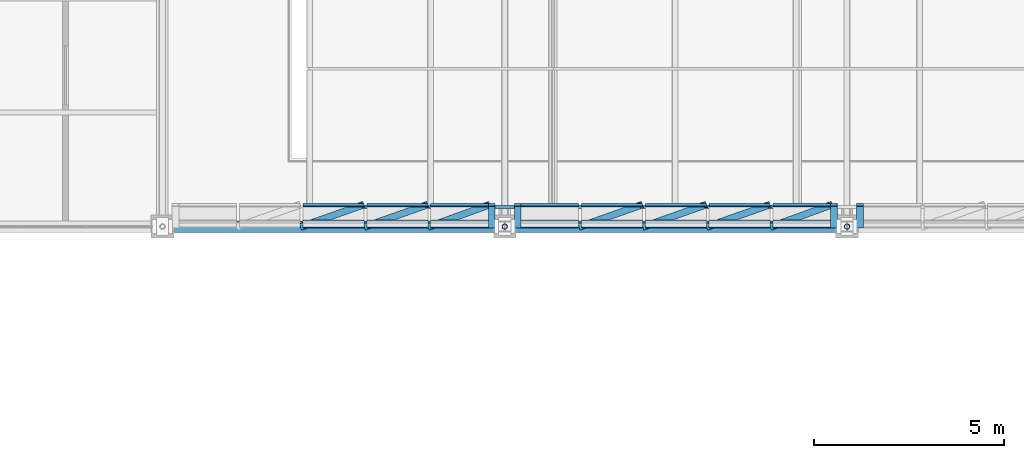
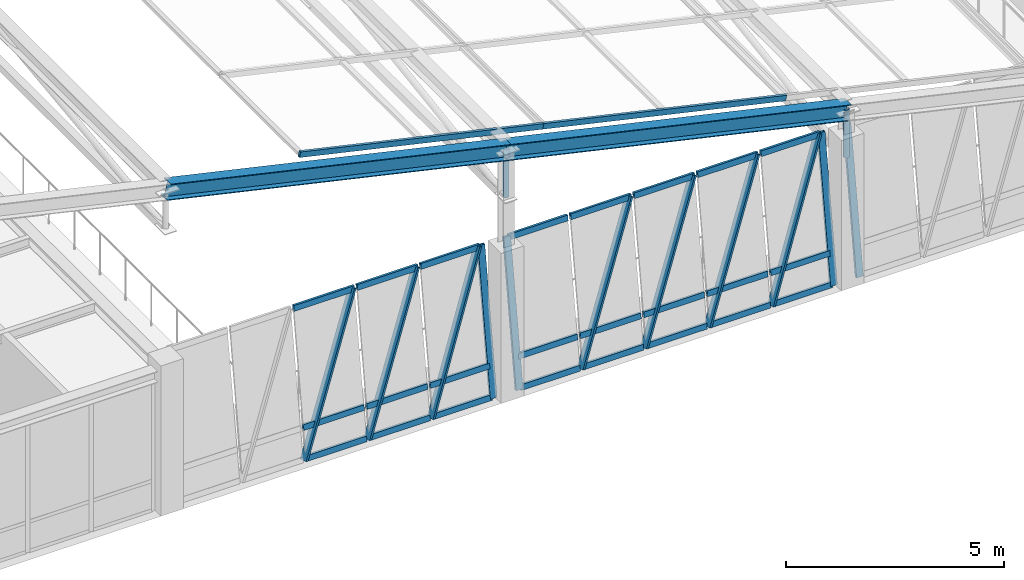
# One storey, part 40 of 130: 41 members, 5 elements without a shape of their own.
"""IFC4 building model written with IfcOpenShell, lengths in metres."""

from ifc_helpers import new_model, si_unit, direction, frame, origin, origin_2d, place, context, subcontext, project, spatial, hollow_rectangle, hollow_circle, i_section, extrude, material, material_profile, profile_set, type_object, element, aggregate, save


model = new_model("IFC4")

# Units and contexts
model_context = context("Model", 3, precision=1e-05, world=origin(), true_north=direction((0.0, 1.0)))
body_context = subcontext(model_context, "Body", "Model", "MODEL_VIEW")
ifc_project = project(units=[si_unit("LENGTHUNIT", "METRE"), si_unit("AREAUNIT", "SQUARE_METRE"), si_unit("VOLUMEUNIT", "CUBIC_METRE"), si_unit("PLANEANGLEUNIT", "RADIAN"), si_unit("MASSUNIT", "GRAM", prefix="KILO")], contexts=[model_context])

# Site, building, storey
site_placement = place(None, origin())
site = spatial("IfcSite", under=ifc_project, at=site_placement, CompositionType="ELEMENT")
building_placement = place(site_placement, origin())
building = spatial("IfcBuilding", under=site, at=building_placement, Name="Lykobir Media Centre", CompositionType="ELEMENT")
storey_placement = place(building_placement, frame((0.0, 0.0, 19.199951171875)))
storey = spatial("IfcBuildingStorey", under=building, at=storey_placement, Name="L04", CompositionType="ELEMENT", Elevation=19.199951171875)

# Members
ifc_material_1 = material(Name="Steel S355", Category="steel")
ifc_material_profile_1 = material_profile(ifc_material_1, hollow_circle(Radius=0.06982421875, WallThickness=0.008056640625, at=origin_2d()), Name="CHS 139.7x8.0")
ifc_profile_set_1 = profile_set([ifc_material_profile_1], Name="Steel S355")
member_type_1 = type_object("IfcMemberType", Name="BR-CHS140", PredefinedType="BRACE", material=ifc_profile_set_1)
for number, where, z_axis, x_axis, name in (
    (1, (54.0, 63.0, 6.860107421875), (0.0, 0.0, -1.0), (1.0, 0.0, 0.0), "Diagonal brace MEM2-L04-0540-0630-0261-0540-0630-0459"),
    (2, (63.0, 63.0, 4.820068359375), (0.0, 0.0, -1.0), (1.0, 0.0, 0.0), "Diagonal brace MEM2-L04-0630-0630-0240-0630-0630-0472"),
):
    element("IfcMember", number, at=place(storey_placement, frame(where, z_axis=z_axis, x_axis=x_axis)), inside=storey, type_object=member_type_1, Name=name, PredefinedType="BRACE", context=body_context, shape_type="SweptSolid", body=[
        extrude(hollow_circle(Radius=0.06982421875, WallThickness=0.008056640625, at=origin_2d()), origin(), (0.0, 0.0, 1.0), 1.35009765625),
    ])

# Curtain wall, members
ifc_material_2 = material(Name="Anodized Aluminium AW-6060", Category="aluminium")
curtain_wall_type_1 = type_object("IfcCurtainWallType", Name="CW-V6-CR4", PredefinedType="NOTDEFINED", material=ifc_material_2)
curtain_wall_1_placement = place(storey_placement, origin())
curtain_wall_1 = element("IfcCurtainWall", 3, at=curtain_wall_1_placement, inside=storey, type_object=curtain_wall_type_1, Name="Curtain wall CW2-L04-0160", PredefinedType="NOTDEFINED")
ifc_material_profile_2 = material_profile(ifc_material_2, hollow_rectangle(XDim=0.074951171875, YDim=0.179931640625, WallThickness=0.00390625, at=origin_2d()), Name="ALU MULLION 75x180")
ifc_profile_set_2 = profile_set([ifc_material_profile_2], Name="Anodized Aluminium AW-6060")
member_type_2 = type_object("IfcMemberType", Name="CWM-180", PredefinedType="MULLION", material=ifc_profile_set_2)
member_1_placement = place(storey_placement, frame((53.657470703125, 63.0, 0.0), z_axis=(0.0, 0.142657694389, 0.989772086003), x_axis=(0.0, 0.989772086003, -0.142657694389)))
member_1 = element("IfcMember", 4, at=member_1_placement, type_object=member_type_2, Name="CW2-L04-0160 mullion 1", PredefinedType="MULLION", context=body_context, shape_type="SweptSolid", body=[
    extrude(hollow_rectangle(XDim=0.074951171875, YDim=0.179931640625, WallThickness=0.00390625, at=origin_2d()), origin(), (0.0, 0.0, 1.0), 3.980712890625),
])
member_2_placement = place(storey_placement, frame((52.01708984375, 63.0, 0.0), z_axis=(0.365976570158, 0.132760683435, 0.921105721961), x_axis=(0.86589329552, 0.314109139953, -0.389312533796)))
member_2 = element("IfcMember", 5, at=member_2_placement, type_object=member_type_2, Name="CW2-L04-0160 mullion 2", PredefinedType="MULLION", context=body_context, shape_type="SweptSolid", body=[
    extrude(hollow_rectangle(XDim=0.074951171875, YDim=0.179931640625, WallThickness=0.00390625, at=origin_2d()), origin(), (0.0, 0.0, 1.0), 4.27734375),
])
member_3_placement = place(storey_placement, frame((50.339111328125, 63.0, 0.0), z_axis=(0.374579600655, 0.132271466696, 0.917711491631), x_axis=(0.865344548286, 0.305570277716, -0.397247552703)))
member_3 = element("IfcMember", 6, at=member_3_placement, type_object=member_type_2, Name="CW2-L04-0160 mullion 3", PredefinedType="MULLION", context=body_context, shape_type="SweptSolid", body=[
    extrude(hollow_rectangle(XDim=0.074951171875, YDim=0.179931640625, WallThickness=0.00390625, at=origin_2d()), origin(), (0.0, 0.0, 1.0), 4.293212890625),
])
member_4_placement = place(storey_placement, frame((48.660888671875, 63.0, 0.0), z_axis=(0.374628486657, 0.132268649053, 0.917691942573), x_axis=(0.865340676514, 0.305522527865, -0.397292711407)))
member_4 = element("IfcMember", 7, at=member_4_placement, type_object=member_type_2, Name="CW2-L04-0160 mullion 4", PredefinedType="MULLION", context=body_context, shape_type="SweptSolid", body=[
    extrude(hollow_rectangle(XDim=0.074951171875, YDim=0.179931640625, WallThickness=0.00390625, at=origin_2d()), origin(), (0.0, 0.0, 1.0), 4.293212890625),
])

curtain_wall_2_placement = place(storey_placement, origin())
curtain_wall_2 = element("IfcCurtainWall", 8, at=curtain_wall_2_placement, inside=storey, type_object=curtain_wall_type_1, Name="Curtain wall CW2-L04-0161", PredefinedType="NOTDEFINED")
member_5_placement = place(storey_placement, frame((62.657470703125, 63.0, 0.0), z_axis=(0.0, 0.142657694389, 0.989772086003), x_axis=(0.0, 0.989772086003, -0.142657694389)))
member_5 = element("IfcMember", 9, at=member_5_placement, type_object=member_type_2, Name="CW2-L04-0161 mullion 1", PredefinedType="MULLION", context=body_context, shape_type="SweptSolid", body=[
    extrude(hollow_rectangle(XDim=0.074951171875, YDim=0.179931640625, WallThickness=0.00390625, at=origin_2d()), origin(), (0.0, 0.0, 1.0), 3.980712890625),
])
member_6_placement = place(storey_placement, frame((61.01708984375, 63.0, 0.0), z_axis=(0.365976570158, 0.132760683435, 0.921105721961), x_axis=(0.86589329552, 0.314109139953, -0.389312533796)))
member_6 = element("IfcMember", 10, at=member_6_placement, type_object=member_type_2, Name="CW2-L04-0161 mullion 2", PredefinedType="MULLION", context=body_context, shape_type="SweptSolid", body=[
    extrude(hollow_rectangle(XDim=0.074951171875, YDim=0.179931640625, WallThickness=0.00390625, at=origin_2d()), origin(), (0.0, 0.0, 1.0), 4.27734375),
])
member_7_placement = place(storey_placement, frame((59.339111328125, 63.0, 0.0), z_axis=(0.374579600655, 0.132271466696, 0.917711491631), x_axis=(0.865344548286, 0.305570277716, -0.397247552703)))
member_7 = element("IfcMember", 11, at=member_7_placement, type_object=member_type_2, Name="CW2-L04-0161 mullion 3", PredefinedType="MULLION", context=body_context, shape_type="SweptSolid", body=[
    extrude(hollow_rectangle(XDim=0.074951171875, YDim=0.179931640625, WallThickness=0.00390625, at=origin_2d()), origin(), (0.0, 0.0, 1.0), 4.293212890625),
])
member_8_placement = place(storey_placement, frame((57.660888671875, 63.0, 0.0), z_axis=(0.374628486657, 0.132268649053, 0.917691942573), x_axis=(0.865340676514, 0.305522527865, -0.397292711407)))
member_8 = element("IfcMember", 12, at=member_8_placement, type_object=member_type_2, Name="CW2-L04-0161 mullion 4", PredefinedType="MULLION", context=body_context, shape_type="SweptSolid", body=[
    extrude(hollow_rectangle(XDim=0.074951171875, YDim=0.179931640625, WallThickness=0.00390625, at=origin_2d()), origin(), (0.0, 0.0, 1.0), 4.293212890625),
])
member_9_placement = place(storey_placement, frame((55.98291015625, 63.0, 0.0), z_axis=(0.374628486657, 0.132268649053, 0.917691942573), x_axis=(0.865340676514, 0.305522527865, -0.397292711407)))
member_9 = element("IfcMember", 13, at=member_9_placement, type_object=member_type_2, Name="CW2-L04-0161 mullion 5", PredefinedType="MULLION", context=body_context, shape_type="SweptSolid", body=[
    extrude(hollow_rectangle(XDim=0.074951171875, YDim=0.179931640625, WallThickness=0.00390625, at=origin_2d()), origin(), (0.0, 0.0, 1.0), 4.293212890625),
])
member_10_placement = place(storey_placement, frame((54.342529296875, 63.0, 0.0), z_axis=(0.0, 0.142657694389, 0.989772086003), x_axis=(0.0, 0.989772086003, -0.142657694389)))
member_10 = element("IfcMember", 14, at=member_10_placement, type_object=member_type_2, Name="CW2-L04-0161 mullion 6", PredefinedType="MULLION", context=body_context, shape_type="SweptSolid", body=[
    extrude(hollow_rectangle(XDim=0.074951171875, YDim=0.179931640625, WallThickness=0.00390625, at=origin_2d()), origin(), (0.0, 0.0, 1.0), 3.980712890625),
])

# Curtain wall, member
curtain_wall_3_placement = place(storey_placement, origin())
curtain_wall_3 = element("IfcCurtainWall", 15, at=curtain_wall_3_placement, inside=storey, type_object=curtain_wall_type_1, Name="Curtain wall CW2-L04-0162", PredefinedType="NOTDEFINED")
member_11_placement = place(storey_placement, frame((63.342529296875, 63.0, 0.0), z_axis=(0.0, 0.142657694389, 0.989772086003), x_axis=(0.0, 0.989772086003, -0.142657694389)))
member_11 = element("IfcMember", 16, at=member_11_placement, type_object=member_type_2, Name="CW2-L04-0162 mullion 6", PredefinedType="MULLION", context=body_context, shape_type="SweptSolid", body=[
    extrude(hollow_rectangle(XDim=0.074951171875, YDim=0.179931640625, WallThickness=0.00390625, at=origin_2d()), origin(), (0.0, 0.0, 1.0), 3.980712890625),
])
aggregate(curtain_wall_3, [member_11])

# Member
ifc_material_profile_3 = material_profile(ifc_material_2, hollow_rectangle(XDim=0.074951171875, YDim=0.14990234375, WallThickness=0.00341796875, at=origin_2d()), Name="ALU TRANSOM 75x150")
ifc_profile_set_3 = profile_set([ifc_material_profile_3], Name="Anodized Aluminium AW-6060")
member_type_3 = type_object("IfcMemberType", Name="CWT-150", PredefinedType="USERDEFINED", material=ifc_profile_set_3)
member_12_placement = place(storey_placement, frame((53.6201171875, 63.00537109375, 0.037109375), z_axis=(-1.0, 0.0, 0.0), x_axis=(0.0, -0.989776230908, 0.142628933706)))
member_12 = element("IfcMember", 17, at=member_12_placement, type_object=member_type_3, Name="CW2-L04-0160 transom 1.1", ObjectType="TRANSOM", PredefinedType="USERDEFINED", context=body_context, shape_type="SweptSolid", body=[
    extrude(hollow_rectangle(XDim=0.074951171875, YDim=0.14990234375, WallThickness=0.00341796875, at=origin_2d()), origin(), (0.0, 0.0, 1.0), 1.565673828125),
])

member_13_placement = place(storey_placement, frame((53.6201171875, 63.12109375, 0.84130859375), z_axis=(-1.0, 0.0, 0.0), x_axis=(0.0, -0.989776230908, 0.142628933706)))
member_13 = element("IfcMember", 18, at=member_13_placement, type_object=member_type_3, Name="CW2-L04-0160 transom 1.2", ObjectType="TRANSOM", PredefinedType="USERDEFINED", context=body_context, shape_type="SweptSolid", body=[
    extrude(hollow_rectangle(XDim=0.074951171875, YDim=0.14990234375, WallThickness=0.00341796875, at=origin_2d()), origin(), (0.0, 0.0, 1.0), 1.565673828125),
])

member_14_placement = place(storey_placement, frame((53.6201171875, 63.5625, 3.90283203125), z_axis=(-1.0, 0.0, 0.0), x_axis=(0.0, -0.989776230908, 0.142628933706)))
member_14 = element("IfcMember", 19, at=member_14_placement, type_object=member_type_3, Name="CW2-L04-0160 transom 1.3", ObjectType="TRANSOM", PredefinedType="USERDEFINED", context=body_context, shape_type="SweptSolid", body=[
    extrude(hollow_rectangle(XDim=0.074951171875, YDim=0.14990234375, WallThickness=0.00341796875, at=origin_2d()), origin(), (0.0, 0.0, 1.0), 1.565673828125),
])

member_15_placement = place(storey_placement, frame((51.9794921875, 63.00537109375, 0.037109375), z_axis=(-1.0, 0.0, 0.0), x_axis=(0.0, -0.989776230908, 0.142628933706)))
member_15 = element("IfcMember", 20, at=member_15_placement, type_object=member_type_3, Name="CW2-L04-0160 transom 2.1", ObjectType="TRANSOM", PredefinedType="USERDEFINED", context=body_context, shape_type="SweptSolid", body=[
    extrude(hollow_rectangle(XDim=0.074951171875, YDim=0.14990234375, WallThickness=0.00341796875, at=origin_2d()), origin(), (0.0, 0.0, 1.0), 1.60302734375),
])

member_16_placement = place(storey_placement, frame((51.9794921875, 63.12109375, 0.84130859375), z_axis=(-1.0, 0.0, 0.0), x_axis=(0.0, -0.989776230908, 0.142628933706)))
member_16 = element("IfcMember", 21, at=member_16_placement, type_object=member_type_3, Name="CW2-L04-0160 transom 2.2", ObjectType="TRANSOM", PredefinedType="USERDEFINED", context=body_context, shape_type="SweptSolid", body=[
    extrude(hollow_rectangle(XDim=0.074951171875, YDim=0.14990234375, WallThickness=0.00341796875, at=origin_2d()), origin(), (0.0, 0.0, 1.0), 1.60302734375),
])

member_17_placement = place(storey_placement, frame((51.9794921875, 63.5625, 3.90283203125), z_axis=(-1.0, 0.0, 0.0), x_axis=(0.0, -0.989776230908, 0.142628933706)))
member_17 = element("IfcMember", 22, at=member_17_placement, type_object=member_type_3, Name="CW2-L04-0160 transom 2.3", ObjectType="TRANSOM", PredefinedType="USERDEFINED", context=body_context, shape_type="SweptSolid", body=[
    extrude(hollow_rectangle(XDim=0.074951171875, YDim=0.14990234375, WallThickness=0.00341796875, at=origin_2d()), origin(), (0.0, 0.0, 1.0), 1.60302734375),
])

member_18_placement = place(storey_placement, frame((50.301513671875, 63.00537109375, 0.037109375), z_axis=(-1.0, 0.0, 0.0), x_axis=(0.0, -0.989776230908, 0.142628933706)))
member_18 = element("IfcMember", 23, at=member_18_placement, type_object=member_type_3, Name="CW2-L04-0160 transom 3.1", ObjectType="TRANSOM", PredefinedType="USERDEFINED", context=body_context, shape_type="SweptSolid", body=[
    extrude(hollow_rectangle(XDim=0.074951171875, YDim=0.14990234375, WallThickness=0.00341796875, at=origin_2d()), origin(), (0.0, 0.0, 1.0), 1.60302734375),
])

member_19_placement = place(storey_placement, frame((50.301513671875, 63.12109375, 0.84130859375), z_axis=(-1.0, 0.0, 0.0), x_axis=(0.0, -0.989776230908, 0.142628933706)))
member_19 = element("IfcMember", 24, at=member_19_placement, type_object=member_type_3, Name="CW2-L04-0160 transom 3.2", ObjectType="TRANSOM", PredefinedType="USERDEFINED", context=body_context, shape_type="SweptSolid", body=[
    extrude(hollow_rectangle(XDim=0.074951171875, YDim=0.14990234375, WallThickness=0.00341796875, at=origin_2d()), origin(), (0.0, 0.0, 1.0), 1.60302734375),
])

member_20_placement = place(storey_placement, frame((50.301513671875, 63.5625, 3.90283203125), z_axis=(-1.0, 0.0, 0.0), x_axis=(0.0, -0.989776230908, 0.142628933706)))
member_20 = element("IfcMember", 25, at=member_20_placement, type_object=member_type_3, Name="CW2-L04-0160 transom 3.3", ObjectType="TRANSOM", PredefinedType="USERDEFINED", context=body_context, shape_type="SweptSolid", body=[
    extrude(hollow_rectangle(XDim=0.074951171875, YDim=0.14990234375, WallThickness=0.00341796875, at=origin_2d()), origin(), (0.0, 0.0, 1.0), 1.60302734375),
])

aggregate(curtain_wall_1, [member_1, member_2, member_3, member_4, member_12, member_13, member_14, member_15, member_16, member_17, member_18, member_19, member_20])

member_21_placement = place(storey_placement, frame((62.6201171875, 63.00537109375, 0.037109375), z_axis=(-1.0, 0.0, 0.0), x_axis=(0.0, -0.989776230908, 0.142628933706)))
member_21 = element("IfcMember", 26, at=member_21_placement, type_object=member_type_3, Name="CW2-L04-0161 transom 1.1", ObjectType="TRANSOM", PredefinedType="USERDEFINED", context=body_context, shape_type="SweptSolid", body=[
    extrude(hollow_rectangle(XDim=0.074951171875, YDim=0.14990234375, WallThickness=0.00341796875, at=origin_2d()), origin(), (0.0, 0.0, 1.0), 1.565673828125),
])

member_22_placement = place(storey_placement, frame((62.6201171875, 63.12109375, 0.84130859375), z_axis=(-1.0, 0.0, 0.0), x_axis=(0.0, -0.989776230908, 0.142628933706)))
member_22 = element("IfcMember", 27, at=member_22_placement, type_object=member_type_3, Name="CW2-L04-0161 transom 1.2", ObjectType="TRANSOM", PredefinedType="USERDEFINED", context=body_context, shape_type="SweptSolid", body=[
    extrude(hollow_rectangle(XDim=0.074951171875, YDim=0.14990234375, WallThickness=0.00341796875, at=origin_2d()), origin(), (0.0, 0.0, 1.0), 1.565673828125),
])

member_23_placement = place(storey_placement, frame((62.6201171875, 63.5625, 3.90283203125), z_axis=(-1.0, 0.0, 0.0), x_axis=(0.0, -0.989776230908, 0.142628933706)))
member_23 = element("IfcMember", 28, at=member_23_placement, type_object=member_type_3, Name="CW2-L04-0161 transom 1.3", ObjectType="TRANSOM", PredefinedType="USERDEFINED", context=body_context, shape_type="SweptSolid", body=[
    extrude(hollow_rectangle(XDim=0.074951171875, YDim=0.14990234375, WallThickness=0.00341796875, at=origin_2d()), origin(), (0.0, 0.0, 1.0), 1.565673828125),
])

member_24_placement = place(storey_placement, frame((60.9794921875, 63.00537109375, 0.037109375), z_axis=(-1.0, 0.0, 0.0), x_axis=(0.0, -0.989776230908, 0.142628933706)))
member_24 = element("IfcMember", 29, at=member_24_placement, type_object=member_type_3, Name="CW2-L04-0161 transom 2.1", ObjectType="TRANSOM", PredefinedType="USERDEFINED", context=body_context, shape_type="SweptSolid", body=[
    extrude(hollow_rectangle(XDim=0.074951171875, YDim=0.14990234375, WallThickness=0.00341796875, at=origin_2d()), origin(), (0.0, 0.0, 1.0), 1.60302734375),
])

member_25_placement = place(storey_placement, frame((60.9794921875, 63.12109375, 0.84130859375), z_axis=(-1.0, 0.0, 0.0), x_axis=(0.0, -0.989776230908, 0.142628933706)))
member_25 = element("IfcMember", 30, at=member_25_placement, type_object=member_type_3, Name="CW2-L04-0161 transom 2.2", ObjectType="TRANSOM", PredefinedType="USERDEFINED", context=body_context, shape_type="SweptSolid", body=[
    extrude(hollow_rectangle(XDim=0.074951171875, YDim=0.14990234375, WallThickness=0.00341796875, at=origin_2d()), origin(), (0.0, 0.0, 1.0), 1.60302734375),
])

member_26_placement = place(storey_placement, frame((60.9794921875, 63.5625, 3.90283203125), z_axis=(-1.0, 0.0, 0.0), x_axis=(0.0, -0.989776230908, 0.142628933706)))
member_26 = element("IfcMember", 31, at=member_26_placement, type_object=member_type_3, Name="CW2-L04-0161 transom 2.3", ObjectType="TRANSOM", PredefinedType="USERDEFINED", context=body_context, shape_type="SweptSolid", body=[
    extrude(hollow_rectangle(XDim=0.074951171875, YDim=0.14990234375, WallThickness=0.00341796875, at=origin_2d()), origin(), (0.0, 0.0, 1.0), 1.60302734375),
])

member_27_placement = place(storey_placement, frame((59.301513671875, 63.00537109375, 0.037109375), z_axis=(-1.0, 0.0, 0.0), x_axis=(0.0, -0.989776230908, 0.142628933706)))
member_27 = element("IfcMember", 32, at=member_27_placement, type_object=member_type_3, Name="CW2-L04-0161 transom 3.1", ObjectType="TRANSOM", PredefinedType="USERDEFINED", context=body_context, shape_type="SweptSolid", body=[
    extrude(hollow_rectangle(XDim=0.074951171875, YDim=0.14990234375, WallThickness=0.00341796875, at=origin_2d()), origin(), (0.0, 0.0, 1.0), 1.60302734375),
])

member_28_placement = place(storey_placement, frame((59.301513671875, 63.12109375, 0.84130859375), z_axis=(-1.0, 0.0, 0.0), x_axis=(0.0, -0.989776230908, 0.142628933706)))
member_28 = element("IfcMember", 33, at=member_28_placement, type_object=member_type_3, Name="CW2-L04-0161 transom 3.2", ObjectType="TRANSOM", PredefinedType="USERDEFINED", context=body_context, shape_type="SweptSolid", body=[
    extrude(hollow_rectangle(XDim=0.074951171875, YDim=0.14990234375, WallThickness=0.00341796875, at=origin_2d()), origin(), (0.0, 0.0, 1.0), 1.60302734375),
])

member_29_placement = place(storey_placement, frame((59.301513671875, 63.5625, 3.90283203125), z_axis=(-1.0, 0.0, 0.0), x_axis=(0.0, -0.989776230908, 0.142628933706)))
member_29 = element("IfcMember", 34, at=member_29_placement, type_object=member_type_3, Name="CW2-L04-0161 transom 3.3", ObjectType="TRANSOM", PredefinedType="USERDEFINED", context=body_context, shape_type="SweptSolid", body=[
    extrude(hollow_rectangle(XDim=0.074951171875, YDim=0.14990234375, WallThickness=0.00341796875, at=origin_2d()), origin(), (0.0, 0.0, 1.0), 1.60302734375),
])

member_30_placement = place(storey_placement, frame((57.62353515625, 63.00537109375, 0.037109375), z_axis=(-1.0, 0.0, 0.0), x_axis=(0.0, -0.989776230908, 0.142628933706)))
member_30 = element("IfcMember", 35, at=member_30_placement, type_object=member_type_3, Name="CW2-L04-0161 transom 4.1", ObjectType="TRANSOM", PredefinedType="USERDEFINED", context=body_context, shape_type="SweptSolid", body=[
    extrude(hollow_rectangle(XDim=0.074951171875, YDim=0.14990234375, WallThickness=0.00341796875, at=origin_2d()), origin(), (0.0, 0.0, 1.0), 1.60302734375),
])

member_31_placement = place(storey_placement, frame((57.62353515625, 63.12109375, 0.84130859375), z_axis=(-1.0, 0.0, 0.0), x_axis=(0.0, -0.989776230908, 0.142628933706)))
member_31 = element("IfcMember", 36, at=member_31_placement, type_object=member_type_3, Name="CW2-L04-0161 transom 4.2", ObjectType="TRANSOM", PredefinedType="USERDEFINED", context=body_context, shape_type="SweptSolid", body=[
    extrude(hollow_rectangle(XDim=0.074951171875, YDim=0.14990234375, WallThickness=0.00341796875, at=origin_2d()), origin(), (0.0, 0.0, 1.0), 1.60302734375),
])

member_32_placement = place(storey_placement, frame((57.62353515625, 63.5625, 3.90283203125), z_axis=(-1.0, 0.0, 0.0), x_axis=(0.0, -0.989776230908, 0.142628933706)))
member_32 = element("IfcMember", 37, at=member_32_placement, type_object=member_type_3, Name="CW2-L04-0161 transom 4.3", ObjectType="TRANSOM", PredefinedType="USERDEFINED", context=body_context, shape_type="SweptSolid", body=[
    extrude(hollow_rectangle(XDim=0.074951171875, YDim=0.14990234375, WallThickness=0.00341796875, at=origin_2d()), origin(), (0.0, 0.0, 1.0), 1.60302734375),
])

member_33_placement = place(storey_placement, frame((55.945556640625, 63.00537109375, 0.037109375), z_axis=(-1.0, 0.0, 0.0), x_axis=(0.0, -0.989776230908, 0.142628933706)))
member_33 = element("IfcMember", 38, at=member_33_placement, type_object=member_type_3, Name="CW2-L04-0161 transom 5.1", ObjectType="TRANSOM", PredefinedType="USERDEFINED", context=body_context, shape_type="SweptSolid", body=[
    extrude(hollow_rectangle(XDim=0.074951171875, YDim=0.14990234375, WallThickness=0.00341796875, at=origin_2d()), origin(), (0.0, 0.0, 1.0), 1.565673828125),
])

member_34_placement = place(storey_placement, frame((55.945556640625, 63.12109375, 0.84130859375), z_axis=(-1.0, 0.0, 0.0), x_axis=(0.0, -0.989776230908, 0.142628933706)))
member_34 = element("IfcMember", 39, at=member_34_placement, type_object=member_type_3, Name="CW2-L04-0161 transom 5.2", ObjectType="TRANSOM", PredefinedType="USERDEFINED", context=body_context, shape_type="SweptSolid", body=[
    extrude(hollow_rectangle(XDim=0.074951171875, YDim=0.14990234375, WallThickness=0.00341796875, at=origin_2d()), origin(), (0.0, 0.0, 1.0), 1.565673828125),
])

member_35_placement = place(storey_placement, frame((55.945556640625, 63.5625, 3.90283203125), z_axis=(-1.0, 0.0, 0.0), x_axis=(0.0, -0.989776230908, 0.142628933706)))
member_35 = element("IfcMember", 40, at=member_35_placement, type_object=member_type_3, Name="CW2-L04-0161 transom 5.3", ObjectType="TRANSOM", PredefinedType="USERDEFINED", context=body_context, shape_type="SweptSolid", body=[
    extrude(hollow_rectangle(XDim=0.074951171875, YDim=0.14990234375, WallThickness=0.00341796875, at=origin_2d()), origin(), (0.0, 0.0, 1.0), 1.565673828125),
])

aggregate(curtain_wall_2, [member_5, member_6, member_7, member_8, member_9, member_10, member_21, member_22, member_23, member_24, member_25, member_26, member_27, member_28, member_29, member_30, member_31, member_32, member_33, member_34, member_35])

# Curtain wall, member
curtain_wall_type_2 = type_object("IfcCurtainWallType", Name="CW-V6-SKY", PredefinedType="NOTDEFINED", material=ifc_material_2)
curtain_wall_4_placement = place(storey_placement, origin())
curtain_wall_4 = element("IfcCurtainWall", 41, at=curtain_wall_4_placement, inside=storey, type_object=curtain_wall_type_2, Name="Curtain wall CW-V6-SKY04", PredefinedType="NOTDEFINED")
member_36_placement = place(storey_placement, frame((61.69189453125, 63.517578125, 5.27294921875), z_axis=(-0.975255318588, 0.0, 0.221081576721), x_axis=(0.0, -1.0, 0.0)))
member_36 = element("IfcMember", 42, at=member_36_placement, type_object=member_type_3, Name="CW-V6-SKY04 rafter transom 13", ObjectType="TRANSOM", PredefinedType="USERDEFINED", context=body_context, shape_type="SweptSolid", body=[
    extrude(hollow_rectangle(XDim=0.074951171875, YDim=0.14990234375, WallThickness=0.00341796875, at=origin_2d()), origin(), (0.0, 0.0, 1.0), 6.591552734375),
])
aggregate(curtain_wall_4, [member_36])

curtain_wall_5_placement = place(storey_placement, origin())
curtain_wall_5 = element("IfcCurtainWall", 43, at=curtain_wall_5_placement, inside=storey, type_object=curtain_wall_type_2, Name="Curtain wall CW-V6-SKY05", PredefinedType="NOTDEFINED")
member_37_placement = place(storey_placement, frame((55.263427734375, 63.517578125, 6.730224609375), z_axis=(-0.97526330388, 0.0, 0.221046348318), x_axis=(0.0, -1.0, 0.0)))
member_37 = element("IfcMember", 44, at=member_37_placement, type_object=member_type_3, Name="CW-V6-SKY05 rafter transom 13", ObjectType="TRANSOM", PredefinedType="USERDEFINED", context=body_context, shape_type="SweptSolid", body=[
    extrude(hollow_rectangle(XDim=0.074951171875, YDim=0.14990234375, WallThickness=0.00341796875, at=origin_2d()), origin(), (0.0, 0.0, 1.0), 6.591552734375),
])
aggregate(curtain_wall_5, [member_37])

# Members
ifc_material_profile_4 = material_profile(ifc_material_1, i_section(OverallWidth=0.300048828125, OverallDepth=0.43994140625, WebThickness=0.011474609375, FlangeThickness=0.02099609375, at=origin_2d()), Name="HEA 450")
ifc_profile_set_4 = profile_set([ifc_material_profile_4], Name="Steel S355")
member_type_4 = type_object("IfcMemberType", Name="TC-HEA450", PredefinedType="CHORD", material=ifc_profile_set_4)
for number, where, z_axis, x_axis, name in (
    (45, (45.0, 63.0, 8.860107421875), (0.975259516727, 0.0, -0.221063056689), (0.0, 1.0, 0.0), "Truss chord MEM2-L04-0450-0630-0281-0540-0630-0422"),
    (46, (54.0, 63.0, 6.820068359375), (0.975259516727, 0.0, -0.221063056689), (0.0, 1.0, 0.0), "Truss chord MEM2-L04-0540-0630-0260-0630-0630-0423"),
):
    element("IfcMember", number, at=place(storey_placement, frame(where, z_axis=z_axis, x_axis=x_axis)), inside=storey, type_object=member_type_4, Name=name, PredefinedType="CHORD", context=body_context, shape_type="SweptSolid", body=[
        extrude(i_section(OverallWidth=0.300048828125, OverallDepth=0.43994140625, WebThickness=0.011474609375, FlangeThickness=0.02099609375, at=origin_2d()), origin(), (0.0, 0.0, 1.0), 9.228271484375),
    ])

save(model, "model.ifc")
